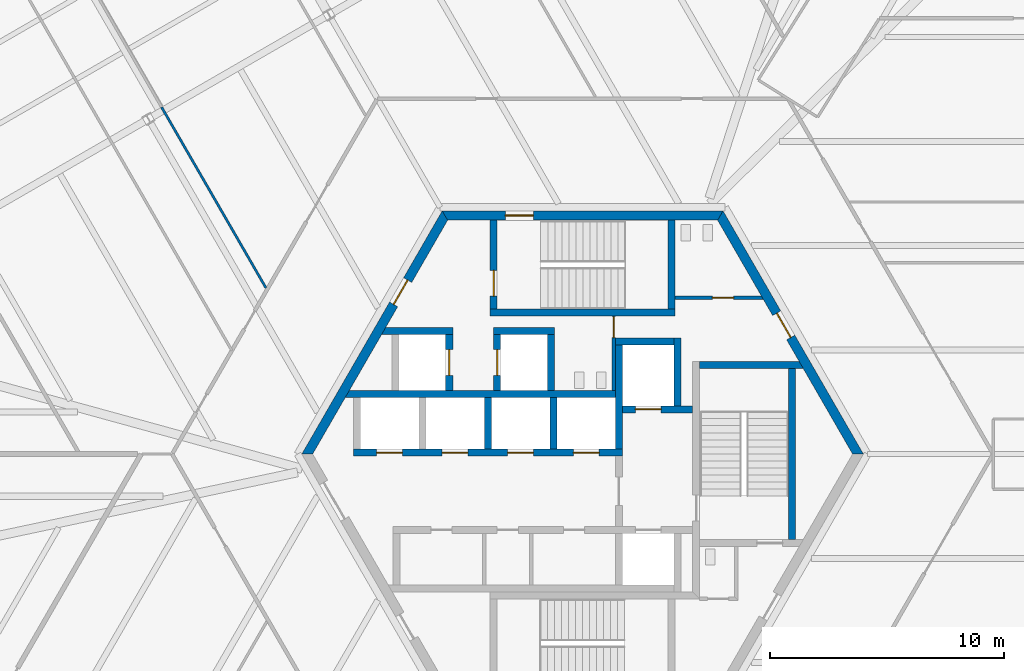
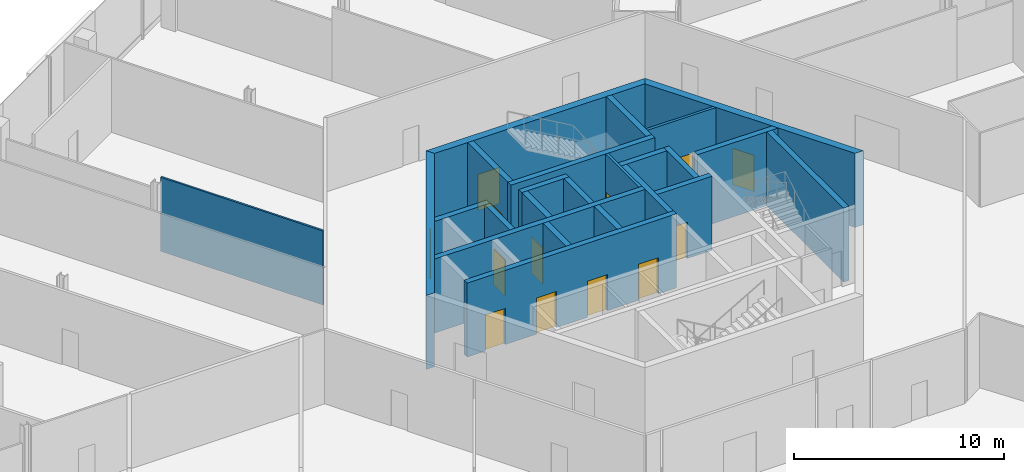
# One storey, part 21 of 27: 24 walls, 13 doors, 13 openings.
"""IFC4 building model written with IfcOpenShell, lengths in metres."""

from ifc_helpers import new_model, si_unit, direction, frame, frame_2d, origin, place, context, subcontext, project, spatial, polyline, rectangle, outline, extrude, source, transform, mapped, material, layer, layer_set, type_object, element, fill, save


model = new_model("IFC4")

# Units and contexts
model_context = context("Model", 3, precision=1e-05, world=origin(), true_north=direction((0.0, 1.0)))
body_context = subcontext(model_context, "Body", "Model", "MODEL_VIEW")
ifc_project = project(units=[si_unit("LENGTHUNIT", "METRE"), si_unit("AREAUNIT", "SQUARE_METRE"), si_unit("VOLUMEUNIT", "CUBIC_METRE"), si_unit("PLANEANGLEUNIT", "RADIAN"), si_unit("MASSUNIT", "GRAM", prefix="KILO")], contexts=[model_context])

# Site, building, storey
site_placement = place(None, origin())
site = spatial("IfcSite", under=ifc_project, at=site_placement, CompositionType="ELEMENT")
building_placement = place(site_placement, origin())
building = spatial("IfcBuilding", under=site, at=building_placement, Name="Triune Harvest Tower", CompositionType="ELEMENT")
storey_placement = place(building_placement, frame((0.0, 0.0, 7.0)))
storey = spatial("IfcBuildingStorey", under=building, at=storey_placement, Name="L01", CompositionType="ELEMENT", Elevation=7.0)

# Wall, opening, door
ifc_material_1 = material(Name="Concrete 70 MPa", Category="concrete")
ifc_layer_1 = layer(ifc_material_1, 0.39990234375)
ifc_layer_set_1 = layer_set([ifc_layer_1], Name="Concrete 70 MPa")
wall_type_1 = type_object("IfcWallType", Name="Core wall 400", PredefinedType="SHEAR", material=ifc_layer_set_1)
shared_shape_1 = source(origin(), body_context, "Body", "SweptSolid", [
    extrude(outline(polyline([(-0.115478515625, -0.199951171875), (11.884521484375, -0.199951171875), (11.653564453125, 0.199951171875), (0.115478515625, 0.199951171875), (-0.115478515625, -0.199951171875)])), origin(), (0.0, 0.0, 1.0), 4.300048828125),
])
wall_1_placement = place(storey_placement, frame((11.76904296875, 0.0, 0.0), z_axis=(0.0, 0.0, 1.0), x_axis=(-0.499996592174, 0.866027371285, 0.0)))
wall_1 = element("IfcWall", 1, at=wall_1_placement, inside=storey, type_object=wall_type_1, Name="Hexagon 0 wall", PredefinedType="SHEAR", context=body_context, shape_type="MappedRepresentation", body=[
    mapped(shared_shape_1, transform((0.0, 0.0, 0.0), scale=1.0)),
])
opening_1_placement = place(wall_1_placement, frame((5.75048828125, 0.0, 0.0)))
opening_1 = element("IfcOpeningElement", 2, at=opening_1_placement, cuts=wall_1, Name="Opening CD-WCP", PredefinedType="OPENING", context=body_context, shape_type="SweptSolid", body=[
    extrude(rectangle(XDim=1.199951171875, YDim=2.10009765625, at=frame_2d((0.60009765625, 1.050048828125))), frame((0.0, 0.2099609375, 0.0), z_axis=(0.0, -1.0, 0.0), x_axis=(1.0, 0.0, 0.0)), (0.0, 0.0, 1.0), 0.419921875),
])
ifc_material_2 = material(Name="Steel S235", Category="steel")
door_type_1 = type_object("IfcDoorType", Name="Lobby door 1200 FD120", OperationType="SINGLE_SWING_LEFT", PredefinedType="DOOR", material=ifc_material_2)
door_1_placement = place(opening_1_placement, frame((1.199951171875, 0.0, 0.0), z_axis=(0.0, 0.0, 1.0), x_axis=(-1.0, 0.0, 0.0)))
door_1 = element("IfcDoor", 3, at=door_1_placement, inside=storey, type_object=door_type_1, Name="Door CD-WCP", OperationType="SINGLE_SWING_RIGHT", OverallHeight=2.10009765625, OverallWidth=1.199951171875, PredefinedType="DOOR", context=body_context, shape_type="SweptSolid", body=[
    extrude(rectangle(XDim=1.199951171875, YDim=2.10009765625, at=frame_2d((0.60009765625, 1.050048828125))), frame((0.0, 0.02490234375, 0.0), z_axis=(0.0, -1.0, 0.0), x_axis=(1.0, 0.0, 0.0)), (0.0, 0.0, 1.0), 0.050048828125),
])
fill(opening_1, door_1)

wall_2_placement = place(storey_placement, frame((5.884521484375, 10.1923828125, 0.0), z_axis=(0.0, 0.0, 1.0), x_axis=(-1.0, 0.0, 0.0)))
wall_2 = element("IfcWall", 4, at=wall_2_placement, inside=storey, type_object=wall_type_1, Name="Hexagon 1 wall", PredefinedType="SHEAR", context=body_context, shape_type="MappedRepresentation", body=[
    mapped(shared_shape_1, transform((0.0, 0.0, 0.0), scale=1.0)),
])
opening_2_placement = place(wall_2_placement, frame((7.984619140625, 0.0, 0.0)))
opening_2 = element("IfcOpeningElement", 5, at=opening_2_placement, cuts=wall_2, Name="Opening CD-S1P", PredefinedType="OPENING", context=body_context, shape_type="SweptSolid", body=[
    extrude(rectangle(XDim=1.199951171875, YDim=2.10009765625, at=frame_2d((0.60009765625, 1.050048828125))), frame((0.0, 0.2099609375, 0.0), z_axis=(0.0, -1.0, 0.0), x_axis=(1.0, 0.0, 0.0)), (0.0, 0.0, 1.0), 0.419921875),
])
ifc_material_3 = material(Name="Steel S235", Category="steel")
door_type_2 = type_object("IfcDoorType", Name="Stair door 1200 FD120", OperationType="SINGLE_SWING_LEFT", PredefinedType="DOOR", material=ifc_material_3)
door_2_placement = place(opening_2_placement, frame((1.199951171875, 0.0, 0.0), z_axis=(0.0, 0.0, 1.0), x_axis=(-1.0, 0.0, 0.0)))
door_2 = element("IfcDoor", 6, at=door_2_placement, inside=storey, type_object=door_type_2, Name="Door CD-S1P", OperationType="SINGLE_SWING_RIGHT", OverallHeight=2.10009765625, OverallWidth=1.199951171875, PredefinedType="DOOR", context=body_context, shape_type="SweptSolid", body=[
    extrude(rectangle(XDim=1.199951171875, YDim=2.10009765625, at=frame_2d((0.60009765625, 1.050048828125))), frame((0.0, 0.02490234375, 0.0), z_axis=(0.0, -1.0, 0.0), x_axis=(1.0, 0.0, 0.0)), (0.0, 0.0, 1.0), 0.050048828125),
])
fill(opening_2, door_2)

wall_3_placement = place(storey_placement, frame((-5.884521484375, 10.1923828125, 0.0), z_axis=(0.0, 0.0, 1.0), x_axis=(-0.499996592174, -0.866027371285, 0.0)))
wall_3 = element("IfcWall", 7, at=wall_3_placement, inside=storey, type_object=wall_type_1, Name="Hexagon 2 wall", PredefinedType="SHEAR", context=body_context, shape_type="MappedRepresentation", body=[
    mapped(shared_shape_1, transform((0.0, 0.0, 0.0), scale=1.0)),
])
opening_3_placement = place(wall_3_placement, frame((3.1845703125, 0.0, 0.0)))
opening_3 = element("IfcOpeningElement", 8, at=opening_3_placement, cuts=wall_3, Name="Opening CD-SVP", PredefinedType="OPENING", context=body_context, shape_type="SweptSolid", body=[
    extrude(rectangle(XDim=1.199951171875, YDim=2.10009765625, at=frame_2d((0.60009765625, 1.050048828125))), frame((0.0, 0.2099609375, 0.0), z_axis=(0.0, -1.0, 0.0), x_axis=(1.0, 0.0, 0.0)), (0.0, 0.0, 1.0), 0.419921875),
])
ifc_material_4 = material(Name="Steel S235", Category="steel")
door_type_3 = type_object("IfcDoorType", Name="Service door 1200 FD120", OperationType="SINGLE_SWING_LEFT", PredefinedType="DOOR", material=ifc_material_4)
door_3_placement = place(opening_3_placement, frame((1.199951171875, 0.0, 0.0), z_axis=(0.0, 0.0, 1.0), x_axis=(-1.0, 0.0, 0.0)))
door_3 = element("IfcDoor", 9, at=door_3_placement, inside=storey, type_object=door_type_3, Name="Door CD-SVP", OperationType="SINGLE_SWING_RIGHT", OverallHeight=2.10009765625, OverallWidth=1.199951171875, PredefinedType="DOOR", context=body_context, shape_type="SweptSolid", body=[
    extrude(rectangle(XDim=1.199951171875, YDim=2.10009765625, at=frame_2d((0.60009765625, 1.050048828125))), frame((0.0, 0.02490234375, 0.0), z_axis=(0.0, -1.0, 0.0), x_axis=(1.0, 0.0, 0.0)), (0.0, 0.0, 1.0), 0.050048828125),
])
fill(opening_3, door_3)

# Wall, openings, doors
ifc_material_5 = material(Name="Concrete 70 MPa", Category="concrete")
ifc_layer_2 = layer(ifc_material_5, 0.300048828125)
ifc_layer_set_2 = layer_set([ifc_layer_2], Name="Concrete 70 MPa")
wall_type_2 = type_object("IfcWallType", Name="Core wall 300", PredefinedType="SHEAR", material=ifc_layer_set_2)
shared_shape_2 = source(origin(), body_context, "Body", "SweptSolid", [
    extrude(rectangle(XDim=11.5, YDim=0.300048828125, at=frame_2d((5.75, 0.0))), origin(), (0.0, 0.0, 1.0), 4.300048828125),
])
wall_4_placement = place(storey_placement, frame((-9.800048828125, 0.06005859375, 0.0), z_axis=(0.0, 0.0, 1.0), x_axis=(1.0, 0.0, 0.0)))
wall_4 = element("IfcWall", 10, at=wall_4_placement, inside=storey, type_object=wall_type_2, Name="North front wall", PredefinedType="SHEAR", context=body_context, shape_type="MappedRepresentation", body=[
    mapped(shared_shape_2, transform((0.0, 0.0, 0.0), scale=1.0)),
])
opening_4_placement = place(wall_4_placement, frame((1.0, 0.0, 0.0)))
opening_4 = element("IfcOpeningElement", 11, at=opening_4_placement, cuts=wall_4, Name="Opening LD-LR1-01", PredefinedType="OPENING", context=body_context, shape_type="SweptSolid", body=[
    extrude(rectangle(XDim=1.10009765625, YDim=2.10009765625, at=frame_2d((0.550048828125, 1.050048828125))), frame((0.0, 0.16015625, 0.0), z_axis=(0.0, -1.0, 0.0), x_axis=(1.0, 0.0, 0.0)), (0.0, 0.0, 1.0), 0.320068359375),
])
opening_5_placement = place(wall_4_placement, frame((3.800048828125, 0.0, 0.0)))
opening_5 = element("IfcOpeningElement", 12, at=opening_5_placement, cuts=wall_4, Name="Opening LD-LR2-01", PredefinedType="OPENING", context=body_context, shape_type="SweptSolid", body=[
    extrude(rectangle(XDim=1.10009765625, YDim=2.10009765625, at=frame_2d((0.550048828125, 1.050048828125))), frame((0.0, 0.16015625, 0.0), z_axis=(0.0, -1.0, 0.0), x_axis=(1.0, 0.0, 0.0)), (0.0, 0.0, 1.0), 0.320068359375),
])
opening_6_placement = place(wall_4_placement, frame((6.60009765625, 0.0, 0.0)))
opening_6 = element("IfcOpeningElement", 13, at=opening_6_placement, cuts=wall_4, Name="Opening LD-LR3-01", PredefinedType="OPENING", context=body_context, shape_type="SweptSolid", body=[
    extrude(rectangle(XDim=1.10009765625, YDim=2.10009765625, at=frame_2d((0.550048828125, 1.050048828125))), frame((0.0, 0.16015625, 0.0), z_axis=(0.0, -1.0, 0.0), x_axis=(1.0, 0.0, 0.0)), (0.0, 0.0, 1.0), 0.320068359375),
])
opening_7_placement = place(wall_4_placement, frame((9.39990234375, 0.0, 0.0)))
opening_7 = element("IfcOpeningElement", 14, at=opening_7_placement, cuts=wall_4, Name="Opening LD-LR4-01", PredefinedType="OPENING", context=body_context, shape_type="SweptSolid", body=[
    extrude(rectangle(XDim=1.10009765625, YDim=2.10009765625, at=frame_2d((0.550048828125, 1.050048828125))), frame((0.0, 0.16015625, 0.0), z_axis=(0.0, -1.0, 0.0), x_axis=(1.0, 0.0, 0.0)), (0.0, 0.0, 1.0), 0.320068359375),
])
ifc_material_6 = material(Name="Stainless steel AISI 304", Category="steel")
door_type_4 = type_object("IfcDoorType", Name="Landing door 1100 x 2100", OperationType="DOUBLE_DOOR_SLIDING", PredefinedType="DOOR", material=ifc_material_6)
door_4_placement = place(opening_4_placement, origin())
door_4 = element("IfcDoor", 15, at=door_4_placement, inside=storey, type_object=door_type_4, Name="Door LD-LR1-01", OperationType="DOUBLE_DOOR_SLIDING", OverallHeight=2.10009765625, OverallWidth=1.10009765625, PredefinedType="DOOR", context=body_context, shape_type="SweptSolid", body=[
    extrude(rectangle(XDim=1.10009765625, YDim=2.10009765625, at=frame_2d((0.550048828125, 1.050048828125))), frame((0.0, 0.02490234375, 0.0), z_axis=(0.0, -1.0, 0.0), x_axis=(1.0, 0.0, 0.0)), (0.0, 0.0, 1.0), 0.050048828125),
])
fill(opening_4, door_4)
door_5_placement = place(opening_5_placement, origin())
door_5 = element("IfcDoor", 16, at=door_5_placement, inside=storey, type_object=door_type_4, Name="Door LD-LR2-01", OperationType="DOUBLE_DOOR_SLIDING", OverallHeight=2.10009765625, OverallWidth=1.10009765625, PredefinedType="DOOR", context=body_context, shape_type="SweptSolid", body=[
    extrude(rectangle(XDim=1.10009765625, YDim=2.10009765625, at=frame_2d((0.550048828125, 1.050048828125))), frame((0.0, 0.02490234375, 0.0), z_axis=(0.0, -1.0, 0.0), x_axis=(1.0, 0.0, 0.0)), (0.0, 0.0, 1.0), 0.050048828125),
])
fill(opening_5, door_5)
door_6_placement = place(opening_6_placement, origin())
door_6 = element("IfcDoor", 17, at=door_6_placement, inside=storey, type_object=door_type_4, Name="Door LD-LR3-01", OperationType="DOUBLE_DOOR_SLIDING", OverallHeight=2.10009765625, OverallWidth=1.10009765625, PredefinedType="DOOR", context=body_context, shape_type="SweptSolid", body=[
    extrude(rectangle(XDim=1.10009765625, YDim=2.10009765625, at=frame_2d((0.550048828125, 1.050048828125))), frame((0.0, 0.02490234375, 0.0), z_axis=(0.0, -1.0, 0.0), x_axis=(1.0, 0.0, 0.0)), (0.0, 0.0, 1.0), 0.050048828125),
])
fill(opening_6, door_6)
door_7_placement = place(opening_7_placement, origin())
door_7 = element("IfcDoor", 18, at=door_7_placement, inside=storey, type_object=door_type_4, Name="Door LD-LR4-01", OperationType="DOUBLE_DOOR_SLIDING", OverallHeight=2.10009765625, OverallWidth=1.10009765625, PredefinedType="DOOR", context=body_context, shape_type="SweptSolid", body=[
    extrude(rectangle(XDim=1.10009765625, YDim=2.10009765625, at=frame_2d((0.550048828125, 1.050048828125))), frame((0.0, 0.02490234375, 0.0), z_axis=(0.0, -1.0, 0.0), x_axis=(1.0, 0.0, 0.0)), (0.0, 0.0, 1.0), 0.050048828125),
])
fill(opening_7, door_7)

# Walls
shared_shape_3 = source(origin(), body_context, "Body", "SweptSolid", [
    extrude(outline(polyline([(11.199951171875, -0.14990234375), (-0.34912109375, -0.14990234375), (-0.17578125, 0.14990234375), (11.199951171875, 0.14990234375), (11.199951171875, -0.14990234375)])), origin(), (0.0, 0.0, 1.0), 4.300048828125),
])
wall_5_placement = place(storey_placement, frame((-9.800048828125, 2.56005859375, 0.0), z_axis=(0.0, 0.0, 1.0), x_axis=(1.0, 0.0, 0.0)))
element("IfcWall", 19, at=wall_5_placement, inside=storey, type_object=wall_type_2, Name="North back wall", PredefinedType="SHEAR", context=body_context, shape_type="MappedRepresentation", body=[
    mapped(shared_shape_3, transform((0.0, 0.0, 0.0), scale=1.0)),
])
shared_shape_4 = source(origin(), body_context, "Body", "SweptSolid", [
    extrude(rectangle(XDim=2.5, YDim=0.300048828125, at=frame_2d((1.25, 0.0))), origin(), (0.0, 0.0, 1.0), 4.300048828125),
])
wall_6_placement = place(storey_placement, frame((1.39990234375, 4.81005859375, 0.0), z_axis=(0.0, 0.0, 1.0), x_axis=(1.0, 0.0, 0.0)))
element("IfcWall", 20, at=wall_6_placement, inside=storey, type_object=wall_type_2, Name="Ff1 back wall", PredefinedType="SHEAR", context=body_context, shape_type="MappedRepresentation", body=[
    mapped(shared_shape_4, transform((0.0, 0.0, 0.0), scale=1.0)),
])
shared_shape_5 = source(origin(), body_context, "Body", "SweptSolid", [
    extrude(rectangle(XDim=4.449951171875, YDim=0.300048828125, at=frame_2d((2.22509765625, 0.0))), origin(), (0.0, 0.0, 1.0), 4.300048828125),
])
wall_7_placement = place(storey_placement, frame((1.550048828125, 0.2099609375, 0.0), z_axis=(0.0, 0.0, 1.0), x_axis=(0.0, 1.0, 0.0)))
element("IfcWall", 21, at=wall_7_placement, inside=storey, type_object=wall_type_2, Name="Ff1 west wall", PredefinedType="SHEAR", context=body_context, shape_type="MappedRepresentation", body=[
    mapped(shared_shape_5, transform((0.0, 0.0, 0.0), scale=1.0)),
])

# Wall, opening, door
shared_shape_6 = source(origin(), body_context, "Body", "SweptSolid", [
    extrude(rectangle(XDim=3.0, YDim=0.300048828125, at=frame_2d((1.5, 0.0))), origin(), (0.0, 0.0, 1.0), 4.300048828125),
])
wall_8_placement = place(storey_placement, frame((1.699951171875, 1.909912109375, 0.0), z_axis=(0.0, 0.0, 1.0), x_axis=(1.0, 0.0, 0.0)))
wall_8 = element("IfcWall", 22, at=wall_8_placement, inside=storey, type_object=wall_type_2, Name="Ff1 front wall", PredefinedType="SHEAR", context=body_context, shape_type="MappedRepresentation", body=[
    mapped(shared_shape_6, transform((0.0, 0.0, 0.0), scale=1.0)),
])
opening_8_placement = place(wall_8_placement, frame((0.550048828125, 0.0, 0.0)))
opening_8 = element("IfcOpeningElement", 23, at=opening_8_placement, cuts=wall_8, Name="Opening LD-FF1-01", PredefinedType="OPENING", context=body_context, shape_type="SweptSolid", body=[
    extrude(rectangle(XDim=1.10009765625, YDim=2.10009765625, at=frame_2d((0.550048828125, 1.050048828125))), frame((0.0, 0.16015625, 0.0), z_axis=(0.0, -1.0, 0.0), x_axis=(1.0, 0.0, 0.0)), (0.0, 0.0, 1.0), 0.320068359375),
])
door_8_placement = place(opening_8_placement, origin())
door_8 = element("IfcDoor", 24, at=door_8_placement, inside=storey, type_object=door_type_4, Name="Door LD-FF1-01", OperationType="DOUBLE_DOOR_SLIDING", OverallHeight=2.10009765625, OverallWidth=1.10009765625, PredefinedType="DOOR", context=body_context, shape_type="SweptSolid", body=[
    extrude(rectangle(XDim=1.10009765625, YDim=2.10009765625, at=frame_2d((0.550048828125, 1.050048828125))), frame((0.0, 0.02490234375, 0.0), z_axis=(0.0, -1.0, 0.0), x_axis=(1.0, 0.0, 0.0)), (0.0, 0.0, 1.0), 0.050048828125),
])
fill(opening_8, door_8)

# Walls
shared_shape_7 = source(origin(), body_context, "Body", "SweptSolid", [
    extrude(rectangle(XDim=2.89990234375, YDim=0.300048828125, at=frame_2d((1.449951171875, 0.0))), origin(), (0.0, 0.0, 1.0), 4.300048828125),
])
wall_9_placement = place(storey_placement, frame((4.050048828125, 2.06005859375, 0.0), z_axis=(0.0, 0.0, 1.0), x_axis=(0.0, 1.0, 0.0)))
element("IfcWall", 25, at=wall_9_placement, inside=storey, type_object=wall_type_2, Name="Ff1 east wall", PredefinedType="SHEAR", context=body_context, shape_type="MappedRepresentation", body=[
    mapped(shared_shape_7, transform((0.0, 0.0, 0.0), scale=1.0)),
])
shared_shape_8 = source(origin(), body_context, "Body", "SweptSolid", [
    extrude(rectangle(XDim=2.199951171875, YDim=0.300048828125, at=frame_2d((1.10009765625, 0.0))), origin(), (0.0, 0.0, 1.0), 4.300048828125),
])
for number, where, z_axis, x_axis, name in (
    (26, (-4.050048828125, 0.2099609375, 0.0), (0.0, 0.0, 1.0), (0.0, 1.0, 0.0), "North cross 2 wall"),
    (27, (-1.25, 0.2099609375, 0.0), (0.0, 0.0, 1.0), (0.0, 1.0, 0.0), "North cross 3 wall"),
):
    element("IfcWall", number, at=place(storey_placement, frame(where, z_axis=z_axis, x_axis=x_axis)), inside=storey, type_object=wall_type_2, Name=name, PredefinedType="SHEAR", context=body_context, shape_type="MappedRepresentation", body=[
        mapped(shared_shape_8, transform((0.0, 0.0, 0.0), scale=1.0)),
    ])
shared_shape_9 = source(origin(), body_context, "Body", "SweptSolid", [
    extrude(outline(polyline([(0.0, -0.14990234375), (0.0, 0.14990234375), (4.260009765625, 0.14990234375), (4.43310546875, -0.14990234375), (0.0, -0.14990234375)])), origin(), (0.0, 0.0, 1.0), 4.300048828125),
])
wall_10_placement = place(storey_placement, frame((5.0, 3.800048828125, 0.0), z_axis=(0.0, 0.0, 1.0), x_axis=(1.0, 0.0, 0.0)))
element("IfcWall", 28, at=wall_10_placement, inside=storey, type_object=wall_type_2, Name="Stair e north wall", PredefinedType="SHEAR", context=body_context, shape_type="MappedRepresentation", body=[
    mapped(shared_shape_9, transform((0.0, 0.0, 0.0), scale=1.0)),
])
shared_shape_10 = source(origin(), body_context, "Body", "SweptSolid", [
    extrude(rectangle(XDim=7.2998046875, YDim=0.300048828125, at=frame_2d((3.64990234375, 0.0))), origin(), (0.0, 0.0, 1.0), 4.300048828125),
])
wall_11_placement = place(storey_placement, frame((8.949951171875, -3.64990234375, 0.0), z_axis=(0.0, 0.0, 1.0), x_axis=(0.0, 1.0, 0.0)))
element("IfcWall", 29, at=wall_11_placement, inside=storey, type_object=wall_type_2, Name="Stair e east wall", PredefinedType="SHEAR", context=body_context, shape_type="MappedRepresentation", body=[
    mapped(shared_shape_10, transform((0.0, 0.0, 0.0), scale=1.0)),
])
shared_shape_11 = source(origin(), body_context, "Body", "SweptSolid", [
    extrude(rectangle(XDim=7.89990234375, YDim=0.300048828125, at=frame_2d((3.949951171875, 0.0))), origin(), (0.0, 0.0, 1.0), 4.300048828125),
])
wall_12_placement = place(storey_placement, frame((-3.949951171875, 6.0400390625, 0.0), z_axis=(0.0, 0.0, 1.0), x_axis=(1.0, 0.0, 0.0)))
element("IfcWall", 30, at=wall_12_placement, inside=storey, type_object=wall_type_2, Name="Stair n south wall", PredefinedType="SHEAR", context=body_context, shape_type="MappedRepresentation", body=[
    mapped(shared_shape_11, transform((0.0, 0.0, 0.0), scale=1.0)),
])

# Wall, opening, door
shared_shape_12 = source(origin(), body_context, "Body", "SweptSolid", [
    extrude(outline(polyline([(0.0, -0.14990234375), (0.0, 0.14990234375), (3.80419921875, 0.14990234375), (3.80419921875, -0.14990234375), (0.0, -0.14990234375)])), origin(), (0.0, 0.0, 1.0), 4.300048828125),
])
wall_13_placement = place(storey_placement, frame((-3.800048828125, 6.18994140625, 0.0), z_axis=(0.0, 0.0, 1.0), x_axis=(0.0, 1.0, 0.0)))
wall_13 = element("IfcWall", 31, at=wall_13_placement, inside=storey, type_object=wall_type_2, Name="Stair n west wall", PredefinedType="SHEAR", context=body_context, shape_type="MappedRepresentation", body=[
    mapped(shared_shape_12, transform((0.0, 0.0, 0.0), scale=1.0)),
])
opening_9_placement = place(wall_13_placement, frame((0.56005859375, 0.0, 0.0)))
opening_9 = element("IfcOpeningElement", 32, at=opening_9_placement, cuts=wall_13, Name="Opening CD-S1L", PredefinedType="OPENING", context=body_context, shape_type="SweptSolid", body=[
    extrude(rectangle(XDim=1.10009765625, YDim=2.10009765625, at=frame_2d((0.550048828125, 1.050048828125))), frame((0.0, 0.16015625, 0.0), z_axis=(0.0, -1.0, 0.0), x_axis=(1.0, 0.0, 0.0)), (0.0, 0.0, 1.0), 0.320068359375),
])
ifc_material_7 = material(Name="Steel S235", Category="steel")
door_type_5 = type_object("IfcDoorType", Name="Stair door 1100 FD120", OperationType="SINGLE_SWING_LEFT", PredefinedType="DOOR", material=ifc_material_7)
door_9_placement = place(opening_9_placement, frame((1.10009765625, 0.0, 0.0), z_axis=(0.0, 0.0, 1.0), x_axis=(-1.0, 0.0, 0.0)))
door_9 = element("IfcDoor", 33, at=door_9_placement, inside=storey, type_object=door_type_5, Name="Door CD-S1L", OperationType="SINGLE_SWING_RIGHT", OverallHeight=2.10009765625, OverallWidth=1.10009765625, PredefinedType="DOOR", context=body_context, shape_type="SweptSolid", body=[
    extrude(rectangle(XDim=1.10009765625, YDim=2.10009765625, at=frame_2d((0.550048828125, 1.050048828125))), frame((0.0, 0.02490234375, 0.0), z_axis=(0.0, -1.0, 0.0), x_axis=(1.0, 0.0, 0.0)), (0.0, 0.0, 1.0), 0.050048828125),
])
fill(opening_9, door_9)

# Walls
wall_14_placement = place(storey_placement, frame((3.800048828125, 6.18994140625, 0.0), z_axis=(0.0, 0.0, 1.0), x_axis=(0.0, 1.0, 0.0)))
element("IfcWall", 34, at=wall_14_placement, inside=storey, type_object=wall_type_2, Name="Stair n east wall", PredefinedType="SHEAR", context=body_context, shape_type="MappedRepresentation", body=[
    mapped(shared_shape_12, transform((0.0, 0.0, 0.0), scale=1.0)),
])
shared_shape_13 = source(origin(), body_context, "Body", "SweptSolid", [
    extrude(outline(polyline([(2.60009765625, -0.14990234375), (-0.440185546875, -0.14990234375), (-0.26708984375, 0.14990234375), (2.60009765625, 0.14990234375), (2.60009765625, -0.14990234375)])), origin(), (0.0, 0.0, 1.0), 4.300048828125),
])
wall_15_placement = place(storey_placement, frame((-8.14990234375, 5.260009765625, 0.0), z_axis=(0.0, 0.0, 1.0), x_axis=(1.0, 0.0, 0.0)))
element("IfcWall", 35, at=wall_15_placement, inside=storey, type_object=wall_type_2, Name="Sv1 north wall", PredefinedType="SHEAR", context=body_context, shape_type="MappedRepresentation", body=[
    mapped(shared_shape_13, transform((0.0, 0.0, 0.0), scale=1.0)),
])

# Wall, opening, door
shared_shape_14 = source(origin(), body_context, "Body", "SweptSolid", [
    extrude(rectangle(XDim=2.400146484375, YDim=0.300048828125, at=frame_2d((1.2001953125, 0.0))), origin(), (0.0, 0.0, 1.0), 4.300048828125),
])
wall_16_placement = place(storey_placement, frame((-5.699951171875, 2.7099609375, 0.0), z_axis=(0.0, 0.0, 1.0), x_axis=(0.0, 1.0, 0.0)))
wall_16 = element("IfcWall", 36, at=wall_16_placement, inside=storey, type_object=wall_type_2, Name="Sv1 east wall", PredefinedType="SHEAR", context=body_context, shape_type="MappedRepresentation", body=[
    mapped(shared_shape_14, transform((0.0, 0.0, 0.0), scale=1.0)),
])
opening_10_placement = place(wall_16_placement, frame((0.64990234375, 0.0, 0.0)))
opening_10 = element("IfcOpeningElement", 37, at=opening_10_placement, cuts=wall_16, Name="Opening LD-SV1-01", PredefinedType="OPENING", context=body_context, shape_type="SweptSolid", body=[
    extrude(rectangle(XDim=1.10009765625, YDim=2.10009765625, at=frame_2d((0.550048828125, 1.050048828125))), frame((0.0, 0.16015625, 0.0), z_axis=(0.0, -1.0, 0.0), x_axis=(1.0, 0.0, 0.0)), (0.0, 0.0, 1.0), 0.320068359375),
])
door_10_placement = place(opening_10_placement, origin())
door_10 = element("IfcDoor", 38, at=door_10_placement, inside=storey, type_object=door_type_4, Name="Door LD-SV1-01", OperationType="DOUBLE_DOOR_SLIDING", OverallHeight=2.10009765625, OverallWidth=1.10009765625, PredefinedType="DOOR", context=body_context, shape_type="SweptSolid", body=[
    extrude(rectangle(XDim=1.10009765625, YDim=2.10009765625, at=frame_2d((0.550048828125, 1.050048828125))), frame((0.0, 0.02490234375, 0.0), z_axis=(0.0, -1.0, 0.0), x_axis=(1.0, 0.0, 0.0)), (0.0, 0.0, 1.0), 0.050048828125),
])
fill(opening_10, door_10)

wall_17_placement = place(storey_placement, frame((-3.64990234375, 2.7099609375, 0.0), z_axis=(0.0, 0.0, 1.0), x_axis=(0.0, 1.0, 0.0)))
wall_17 = element("IfcWall", 39, at=wall_17_placement, inside=storey, type_object=wall_type_2, Name="Sv2 west wall", PredefinedType="SHEAR", context=body_context, shape_type="MappedRepresentation", body=[
    mapped(shared_shape_14, transform((0.0, 0.0, 0.0), scale=1.0)),
])
opening_11_placement = place(wall_17_placement, frame((0.64990234375, 0.0, 0.0)))
opening_11 = element("IfcOpeningElement", 40, at=opening_11_placement, cuts=wall_17, Name="Opening LD-SV2-01", PredefinedType="OPENING", context=body_context, shape_type="SweptSolid", body=[
    extrude(rectangle(XDim=1.10009765625, YDim=2.10009765625, at=frame_2d((0.550048828125, 1.050048828125))), frame((0.0, 0.16015625, 0.0), z_axis=(0.0, -1.0, 0.0), x_axis=(1.0, 0.0, 0.0)), (0.0, 0.0, 1.0), 0.320068359375),
])
door_11_placement = place(opening_11_placement, origin())
door_11 = element("IfcDoor", 41, at=door_11_placement, inside=storey, type_object=door_type_4, Name="Door LD-SV2-01", OperationType="DOUBLE_DOOR_SLIDING", OverallHeight=2.10009765625, OverallWidth=1.10009765625, PredefinedType="DOOR", context=body_context, shape_type="SweptSolid", body=[
    extrude(rectangle(XDim=1.10009765625, YDim=2.10009765625, at=frame_2d((0.550048828125, 1.050048828125))), frame((0.0, 0.02490234375, 0.0), z_axis=(0.0, -1.0, 0.0), x_axis=(1.0, 0.0, 0.0)), (0.0, 0.0, 1.0), 0.050048828125),
])
fill(opening_11, door_11)

# Walls
wall_18_placement = place(storey_placement, frame((-1.35009765625, 2.7099609375, 0.0), z_axis=(0.0, 0.0, 1.0), x_axis=(0.0, 1.0, 0.0)))
element("IfcWall", 42, at=wall_18_placement, inside=storey, type_object=wall_type_2, Name="Sv2 east wall", PredefinedType="SHEAR", context=body_context, shape_type="MappedRepresentation", body=[
    mapped(shared_shape_14, transform((0.0, 0.0, 0.0), scale=1.0)),
])
shared_shape_15 = source(origin(), body_context, "Body", "SweptSolid", [
    extrude(rectangle(XDim=2.60009765625, YDim=0.300048828125, at=frame_2d((1.300048828125, 0.0))), origin(), (0.0, 0.0, 1.0), 4.300048828125),
])
wall_19_placement = place(storey_placement, frame((-3.800048828125, 5.260009765625, 0.0), z_axis=(0.0, 0.0, 1.0), x_axis=(1.0, 0.0, 0.0)))
element("IfcWall", 43, at=wall_19_placement, inside=storey, type_object=wall_type_2, Name="Sv2 north wall", PredefinedType="SHEAR", context=body_context, shape_type="MappedRepresentation", body=[
    mapped(shared_shape_15, transform((0.0, 0.0, 0.0), scale=1.0)),
])

# Wall, opening, door
ifc_material_8 = material(Name="Concrete masonry unit", Category="masonry")
ifc_layer_3 = layer(ifc_material_8, 0.14990234375)
ifc_layer_set_3 = layer_set([ifc_layer_3], Name="Concrete masonry unit")
wall_type_3 = type_object("IfcWallType", Name="Block partition 150 unrated", PredefinedType="PARTITIONING", material=ifc_layer_set_3)
shared_shape_16 = source(origin(), body_context, "Body", "SweptSolid", [
    extrude(rectangle(XDim=3.179931640625, YDim=0.14990234375, at=frame_2d((1.58984375, 0.0))), origin(), (0.0, 0.0, 1.0), 4.300048828125),
])
wall_20_placement = place(storey_placement, frame((1.324951171875, 2.7099609375, 0.0), z_axis=(0.0, 0.0, 1.0), x_axis=(0.0, 1.0, 0.0)))
wall_20 = element("IfcWall", 44, at=wall_20_placement, inside=storey, type_object=wall_type_3, Name="Wc men east wall", PredefinedType="PARTITIONING", context=body_context, shape_type="MappedRepresentation", body=[
    mapped(shared_shape_16, transform((0.0, 0.0, 0.0), scale=1.0)),
])
opening_12_placement = place(wall_20_placement, frame((2.264892578125, 0.0, 0.0)))
opening_12 = element("IfcOpeningElement", 45, at=opening_12_placement, cuts=wall_20, Name="Opening CD-WM", PredefinedType="OPENING", context=body_context, shape_type="SweptSolid", body=[
    extrude(rectangle(XDim=0.89990234375, YDim=2.10009765625, at=frame_2d((0.449951171875, 1.050048828125))), frame((0.0, 0.0849609375, 0.0), z_axis=(0.0, -1.0, 0.0), x_axis=(1.0, 0.0, 0.0)), (0.0, 0.0, 1.0), 0.169921875),
])
ifc_material_9 = material(Name="Timber C24", Category="wood")
door_type_6 = type_object("IfcDoorType", Name="WC door 900", OperationType="SINGLE_SWING_LEFT", PredefinedType="DOOR", material=ifc_material_9)
door_12_placement = place(opening_12_placement, origin())
door_12 = element("IfcDoor", 46, at=door_12_placement, inside=storey, type_object=door_type_6, Name="Door CD-WM", OperationType="SINGLE_SWING_LEFT", OverallHeight=2.10009765625, OverallWidth=0.89990234375, PredefinedType="DOOR", context=body_context, shape_type="SweptSolid", body=[
    extrude(rectangle(XDim=0.89990234375, YDim=2.10009765625, at=frame_2d((0.449951171875, 1.050048828125))), frame((0.0, 0.02490234375, 0.0), z_axis=(0.0, -1.0, 0.0), x_axis=(1.0, 0.0, 0.0)), (0.0, 0.0, 1.0), 0.050048828125),
])
fill(opening_12, door_12)

shared_shape_17 = source(origin(), body_context, "Body", "SweptSolid", [
    extrude(outline(polyline([(0.0, -0.074951171875), (0.0, 0.074951171875), (3.693359375, 0.074951171875), (3.77978515625, -0.074951171875), (0.0, -0.074951171875)])), origin(), (0.0, 0.0, 1.0), 4.300048828125),
])
wall_21_placement = place(storey_placement, frame((3.949951171875, 6.675048828125, 0.0), z_axis=(0.0, 0.0, 1.0), x_axis=(1.0, 0.0, 0.0)))
wall_21 = element("IfcWall", 47, at=wall_21_placement, inside=storey, type_object=wall_type_3, Name="Wc women south wall", PredefinedType="PARTITIONING", context=body_context, shape_type="MappedRepresentation", body=[
    mapped(shared_shape_17, transform((0.0, 0.0, 0.0), scale=1.0)),
])
opening_13_placement = place(wall_21_placement, frame((1.60009765625, 0.0, 0.0)))
opening_13 = element("IfcOpeningElement", 48, at=opening_13_placement, cuts=wall_21, Name="Opening CD-WW", PredefinedType="OPENING", context=body_context, shape_type="SweptSolid", body=[
    extrude(rectangle(XDim=0.89990234375, YDim=2.10009765625, at=frame_2d((0.449951171875, 1.050048828125))), frame((0.0, 0.0849609375, 0.0), z_axis=(0.0, -1.0, 0.0), x_axis=(1.0, 0.0, 0.0)), (0.0, 0.0, 1.0), 0.169921875),
])
door_13_placement = place(opening_13_placement, origin())
door_13 = element("IfcDoor", 49, at=door_13_placement, inside=storey, type_object=door_type_6, Name="Door CD-WW", OperationType="SINGLE_SWING_LEFT", OverallHeight=2.10009765625, OverallWidth=0.89990234375, PredefinedType="DOOR", context=body_context, shape_type="SweptSolid", body=[
    extrude(rectangle(XDim=0.89990234375, YDim=2.10009765625, at=frame_2d((0.449951171875, 1.050048828125))), frame((0.0, 0.02490234375, 0.0), z_axis=(0.0, -1.0, 0.0), x_axis=(1.0, 0.0, 0.0)), (0.0, 0.0, 1.0), 0.050048828125),
])
fill(opening_13, door_13)

# Wall
ifc_material_10 = material(Name="Gypsum board on steel studs", Category="steel")
ifc_layer_4 = layer(ifc_material_10, 0.10009765625)
ifc_layer_set_4 = layer_set([ifc_layer_4], Name="Gypsum board on steel studs")
wall_type_4 = type_object("IfcWallType", Name="Partition 100 mm", PredefinedType="PARTITIONING", material=ifc_layer_set_4)
shared_shape_18 = source(origin(), body_context, "Body", "SweptSolid", [
    extrude(rectangle(XDim=8.9189453125, YDim=0.10009765625, at=frame_2d((4.45947265625, 0.0))), origin(), (0.0, 0.0, 1.0), 4.300048828125),
])
wall_22_placement = place(storey_placement, frame((-17.99267578125, 14.82421875, 0.0), z_axis=(0.0, 0.0, 1.0), x_axis=(0.499995733566, -0.866027866997, 0.0)))
element("IfcWall", 50, at=wall_22_placement, inside=storey, type_object=wall_type_4, Name="Partition L01 006a", PredefinedType="PARTITIONING", context=body_context, shape_type="MappedRepresentation", body=[
    mapped(shared_shape_18, transform((0.0, 0.0, 0.0), scale=1.0)),
])

save(model, "model.ifc")
